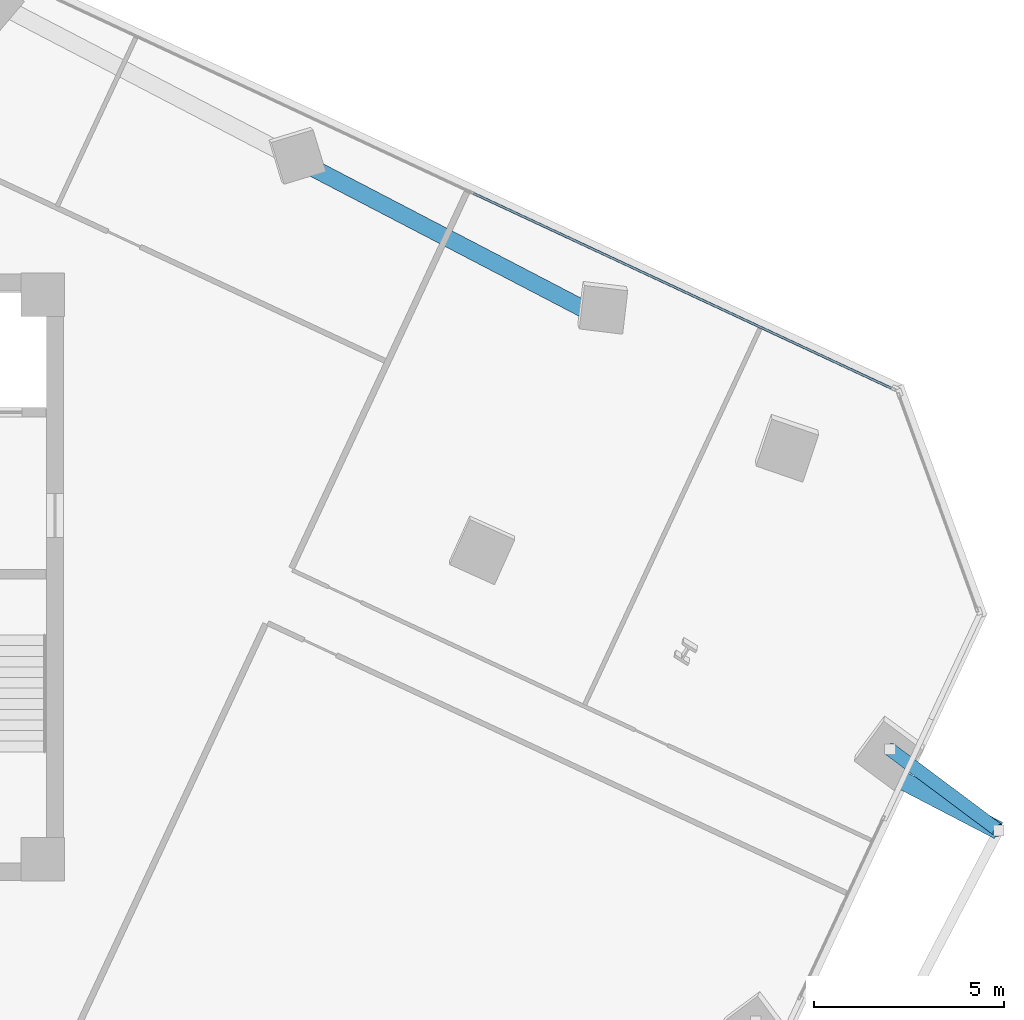
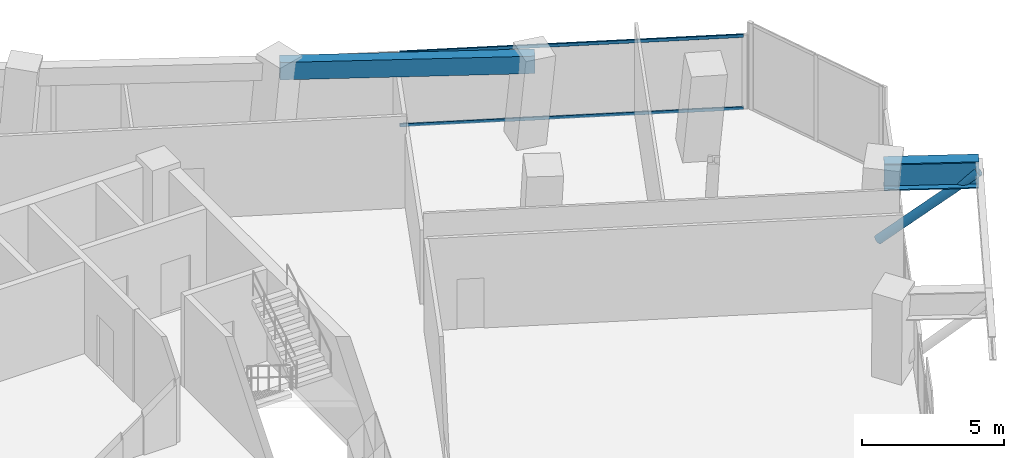
# One storey, part 9 of 21: 3 members, 2 beams, 1 element without a shape of its own.
"""IFC4 building model written with IfcOpenShell, lengths in metres."""

from ifc_helpers import new_model, si_unit, direction, frame, origin, origin_2d, place, context, subcontext, project, spatial, rectangle, hollow_rectangle, hollow_circle, i_section, extrude, source, transform, mapped, material, material_profile, profile_set, type_object, element, aggregate, save


model = new_model("IFC4")

# Units and contexts
model_context = context("Model", 3, precision=1e-05, world=origin(), true_north=direction((0.0, 1.0)))
body_context = subcontext(model_context, "Body", "Model", "MODEL_VIEW")
ifc_project = project(units=[si_unit("LENGTHUNIT", "METRE"), si_unit("AREAUNIT", "SQUARE_METRE"), si_unit("VOLUMEUNIT", "CUBIC_METRE"), si_unit("PLANEANGLEUNIT", "RADIAN"), si_unit("MASSUNIT", "GRAM", prefix="KILO")], contexts=[model_context])

# Site, building, storey
site_placement = place(None, origin())
site = spatial("IfcSite", under=ifc_project, at=site_placement, CompositionType="ELEMENT")
building_placement = place(site_placement, origin())
building = spatial("IfcBuilding", under=site, at=building_placement, Name="Torre Montelarca", CompositionType="ELEMENT")
storey_placement = place(building_placement, frame((0.0, 0.0, 162.39990234375)))
storey = spatial("IfcBuildingStorey", under=building, at=storey_placement, Name="L36", CompositionType="ELEMENT", Elevation=162.39990234375)

# Member
ifc_material_1 = material(Name="Steel ASTM A500 Grade C", Category="steel")
ifc_material_profile_1 = material_profile(ifc_material_1, hollow_circle(Radius=0.177734375, WallThickness=0.015869140625, at=origin_2d()), Name="HSS355.6X15.9", Category="steel")
ifc_profile_set_1 = profile_set([ifc_material_profile_1], Name="Steel ASTM A500 Grade C")
member_type_1 = type_object("IfcMemberType", Name="MB-BR-CHS356-EXT", PredefinedType="BRACE", material=ifc_profile_set_1)
shared_shape_1 = source(origin(), body_context, "Body", "SweptSolid", [
    extrude(hollow_circle(Radius=0.177734375, WallThickness=0.015869140625, at=origin_2d()), origin(), (0.0, 0.0, 1.0), 4.8232421875),
])
member_1_placement = place(storey_placement, frame((48.805419921875, 27.454345703125, 0.150146484375), z_axis=(0.594201113854, -0.443967797054, 0.670684450001), x_axis=(0.598546830827, 0.801087817475, 0.0)))
element("IfcMember", 1, at=member_1_placement, inside=storey, type_object=member_type_1, Name="L37 Sliding Tray Exterior Diagonal Raker Strut E3", PredefinedType="BRACE", context=body_context, shape_type="MappedRepresentation", body=[
    mapped(shared_shape_1, transform((0.0, 0.0, 0.0), scale=1.0)),
])

# Beams
ifc_material_2 = material(Name="Steel ASTM A572 Grade 50", Category="steel")
ifc_material_profile_2 = material_profile(ifc_material_2, i_section(OverallWidth=0.47998046875, OverallDepth=1.14990234375, WebThickness=0.02197265625, FlangeThickness=0.044921875, at=origin_2d()), Name="PG1150X480X22X45", Category="steel")
ifc_profile_set_2 = profile_set([ifc_material_profile_2], Name="Steel ASTM A572 Grade 50")
beam_type_1 = type_object("IfcBeamType", Name="BM-CG-PG1400-EXT", PredefinedType="USERDEFINED", material=ifc_profile_set_2)
shared_shape_2 = source(origin(), body_context, "Body", "SweptSolid", [
    extrude(i_section(OverallWidth=0.47998046875, OverallDepth=1.14990234375, WebThickness=0.02197265625, FlangeThickness=0.044921875, at=origin_2d()), origin(), (0.0, 0.0, 1.0), 3.35009765625),
])
beam_1_placement = place(storey_placement, frame((48.69970703125, 26.859619140625, 3.385009765625), z_axis=(0.887050890557, -0.461671655576, 0.0), x_axis=(0.461671655576, 0.887050890557, 0.0)))
element("IfcBeam", 2, at=beam_1_placement, inside=storey, type_object=beam_type_1, Name="L36 Sliding Tray Cantilever Girder East Y=40m (FLR)", ObjectType="CANTILEVER GIRDER", PredefinedType="USERDEFINED", context=body_context, shape_type="MappedRepresentation", body=[
    mapped(shared_shape_2, transform((0.0, 0.0, 0.0), scale=1.0)),
])
ifc_material_3 = material(Name="Concrete C55/67", Category="concrete")
ifc_material_profile_3 = material_profile(ifc_material_3, rectangle(XDim=0.449951171875, YDim=0.75, at=origin_2d()), Name="RCB450X750", Category="concrete")
ifc_profile_set_3 = profile_set([ifc_material_profile_3], Name="Concrete C55/67")
beam_type_2 = type_object("IfcBeamType", Name="BM-SP-RC750-EXT", PredefinedType="SPANDREL", material=ifc_profile_set_3)
shared_shape_3 = source(origin(), body_context, "Body", "SweptSolid", [
    extrude(rectangle(XDim=0.449951171875, YDim=0.75, at=origin_2d()), origin(), (0.0, 0.0, 1.0), 9.0),
])
beam_2_placement = place(storey_placement, frame((33.3740234375, 42.898681640625, 3.585205078125), z_axis=(0.887011077451, -0.461748143991, 0.0), x_axis=(0.461748143991, 0.887011077451, 0.0)))
element("IfcBeam", 3, at=beam_2_placement, inside=storey, type_object=beam_type_2, Name="L36 Grid Girder X 27.0-36.0 at Y=47.1", PredefinedType="SPANDREL", context=body_context, shape_type="MappedRepresentation", body=[
    mapped(shared_shape_3, transform((0.0, 0.0, 0.0), scale=1.0)),
])

# Curtain wall, members
ifc_material_4 = material(Name="Insulated low-E laminated glass", Category="glass")
curtain_wall_type = type_object("IfcCurtainWallType", Name="CW-SYS-Z2", PredefinedType="USERDEFINED", material=ifc_material_4)
curtain_wall_placement = place(storey_placement, origin())
curtain_wall = element("IfcCurtainWall", 4, at=curtain_wall_placement, inside=storey, type_object=curtain_wall_type, Name="L36 Curtain Wall Run CW-T3-L36-E08-B1", ObjectType="UNITISED GLAZING", PredefinedType="USERDEFINED")
ifc_material_5 = material(Name="Anodised aluminium AA 6063-T6", Category="aluminium")
ifc_material_profile_4 = material_profile(ifc_material_5, hollow_rectangle(XDim=0.06494140625, YDim=0.139892578125, WallThickness=0.00390625, InnerFilletRadius=0.00390625, OuterFilletRadius=0.008056640625, at=origin_2d()), Name="ALU65X140X4", Category="aluminium")
ifc_profile_set_4 = profile_set([ifc_material_profile_4], Name="Anodised aluminium AA 6063-T6")
member_type_2 = type_object("IfcMemberType", Name="CWT-ALU140", PredefinedType="USERDEFINED", material=ifc_profile_set_4)
shared_shape_4 = source(origin(), body_context, "Body", "SweptSolid", [
    extrude(hollow_rectangle(XDim=0.06494140625, YDim=0.139892578125, WallThickness=0.00390625, InnerFilletRadius=0.00390625, OuterFilletRadius=0.008056640625, at=origin_2d()), origin(), (0.0, 0.0, 1.0), 12.159912109375),
])
member_2_placement = place(storey_placement, frame((48.836669921875, 36.98388671875, 0.03271484375), z_axis=(-0.906301078719, 0.422632647475, 0.0), x_axis=(-0.422632647475, -0.906301078719, 0.0)))
member_2 = element("IfcMember", 5, at=member_2_placement, type_object=member_type_2, Name="CW transom 1.1", ObjectType="TRANSOM", PredefinedType="USERDEFINED", context=body_context, shape_type="MappedRepresentation", body=[
    mapped(shared_shape_4, transform((0.0, 0.0, 0.0), scale=1.0)),
])
member_3_placement = place(storey_placement, frame((48.836669921875, 36.98388671875, 3.142578125), z_axis=(-0.906301078719, 0.422632647475, 0.0), x_axis=(-0.422632647475, -0.906301078719, 0.0)))
member_3 = element("IfcMember", 6, at=member_3_placement, type_object=member_type_2, Name="CW transom 1.2", ObjectType="TRANSOM", PredefinedType="USERDEFINED", context=body_context, shape_type="MappedRepresentation", body=[
    mapped(shared_shape_4, transform((0.0, 0.0, 0.0), scale=1.0)),
])
aggregate(curtain_wall, [member_2, member_3])

save(model, "model.ifc")
